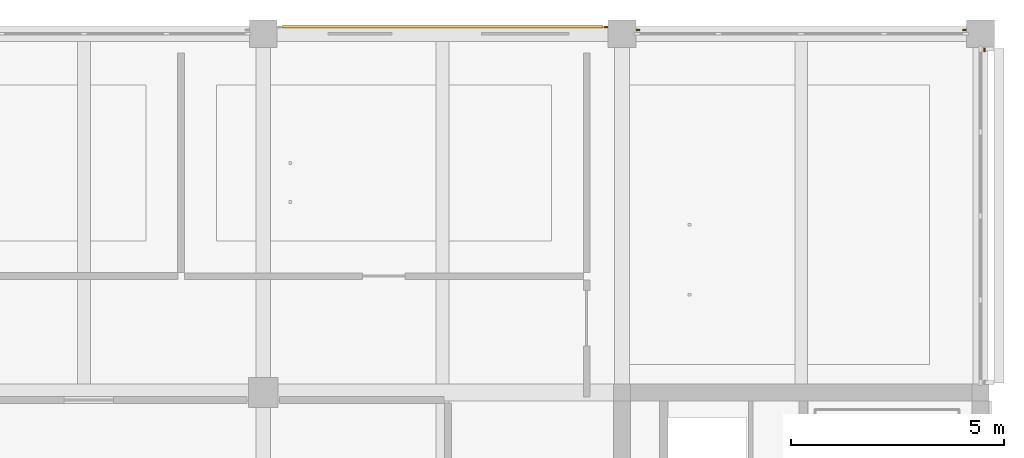
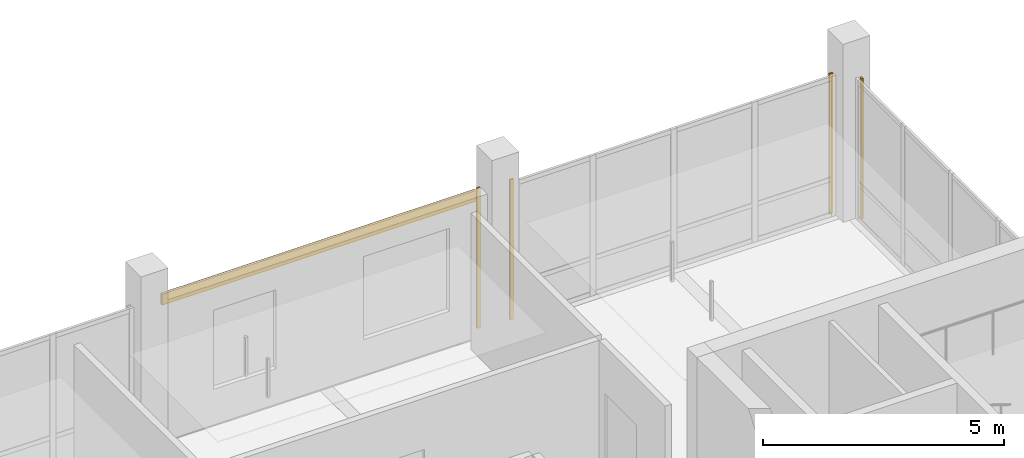
# One storey, part 28 of 28: 5 coverings.
"""IFC4 building model written with IfcOpenShell, lengths in metres."""

from ifc_helpers import new_model, si_unit, direction, frame, origin, origin_2d, place, context, subcontext, project, spatial, rectangle, extrude, material, layer, layer_set, type_object, element, save


model = new_model("IFC4")

# Units and contexts
model_context = context("Model", 3, precision=1e-05, world=origin(), true_north=direction((0.0, 1.0)))
body_context = subcontext(model_context, "Body", "Model", "MODEL_VIEW")
ifc_project = project(units=[si_unit("LENGTHUNIT", "METRE"), si_unit("AREAUNIT", "SQUARE_METRE"), si_unit("VOLUMEUNIT", "CUBIC_METRE"), si_unit("PLANEANGLEUNIT", "RADIAN"), si_unit("MASSUNIT", "GRAM", prefix="KILO")], contexts=[model_context])

# Site, building, storey
site_placement = place(None, origin())
site = spatial("IfcSite", under=ifc_project, at=site_placement, CompositionType="ELEMENT")
building_placement = place(site_placement, origin())
building = spatial("IfcBuilding", under=site, at=building_placement, Name="Telukmera Botanical Conservatory", CompositionType="ELEMENT")
storey_placement = place(building_placement, frame((0.0, 0.0, 51.0)))
storey = spatial("IfcBuildingStorey", under=building, at=storey_placement, Name="L11", CompositionType="ELEMENT", Elevation=51.0)

# Coverings
ifc_material_1 = material(Name="Granite-faced precast concrete C40/50", Category="masonry")
ifc_layer_1 = layer(ifc_material_1, 0.0400390625)
ifc_layer_set_1 = layer_set([ifc_layer_1], Name="Granite-faced precast concrete C40/50")
covering_type_1 = type_object("IfcCoveringType", Name="Granite Precast Column Pier Reveal Casing", PredefinedType="CLADDING", material=ifc_layer_set_1)
for number, where, z_axis, x_axis, name in (
    (1, (92.02294921875, 42.9599609375, 0.0), (0.0, 0.0, 1.0), (1.0, 0.0, 0.0), "Granite Pier Reveal V4:L11:N4 R"),
    (2, (92.777099609375, 42.889892578125, 0.0), (0.0, 0.0, 1.0), (1.0, 0.0, 0.0), "Granite Pier Reveal V4:L11:N5 L"),
    (3, (100.423095703125, 42.889892578125, 0.0), (0.0, 0.0, 1.0), (1.0, 0.0, 0.0), "Granite Pier Reveal V4:L11:N5 R"),
    (4, (100.889892578125, 42.423095703125, 0.0), (0.0, 0.0, 1.0), (0.0, 1.0, 0.0), "Granite Pier Reveal V4:L11:E4 R"),
):
    element("IfcCovering", number, at=place(storey_placement, frame(where, z_axis=z_axis, x_axis=x_axis)), inside=storey, type_object=covering_type_1, Name=name, PredefinedType="CLADDING", context=body_context, shape_type="SweptSolid", body=[
        extrude(rectangle(XDim=0.080078125, YDim=0.0400390625, at=origin_2d()), origin(), (0.0, 0.0, 1.0), 3.550048828125),
    ])
ifc_material_2 = material(Name="Terracotta-faced precast concrete C40/50", Category="masonry")
ifc_layer_2 = layer(ifc_material_2, 0.06005859375)
ifc_layer_set_2 = layer_set([ifc_layer_2], Name="Terracotta-faced precast concrete C40/50")
covering_type_2 = type_object("IfcCoveringType", Name="Polychrome Terracotta Facade Band Cladding", PredefinedType="CLADDING", material=ifc_layer_set_2)
covering_placement = place(storey_placement, frame((88.199951171875, 42.969970703125, 3.22998046875), z_axis=(0.0, 0.0, 1.0), x_axis=(1.0, 0.0, 0.0)))
element("IfcCovering", 5, at=covering_placement, inside=storey, type_object=covering_type_2, Name="Polychrome Terracotta Band V4:L11:N4", PredefinedType="CLADDING", context=body_context, shape_type="SweptSolid", body=[
    extrude(rectangle(XDim=7.506103515625, YDim=0.06005859375, at=origin_2d()), origin(), (0.0, 0.0, 1.0), 0.280029296875),
])

save(model, "model.ifc")
